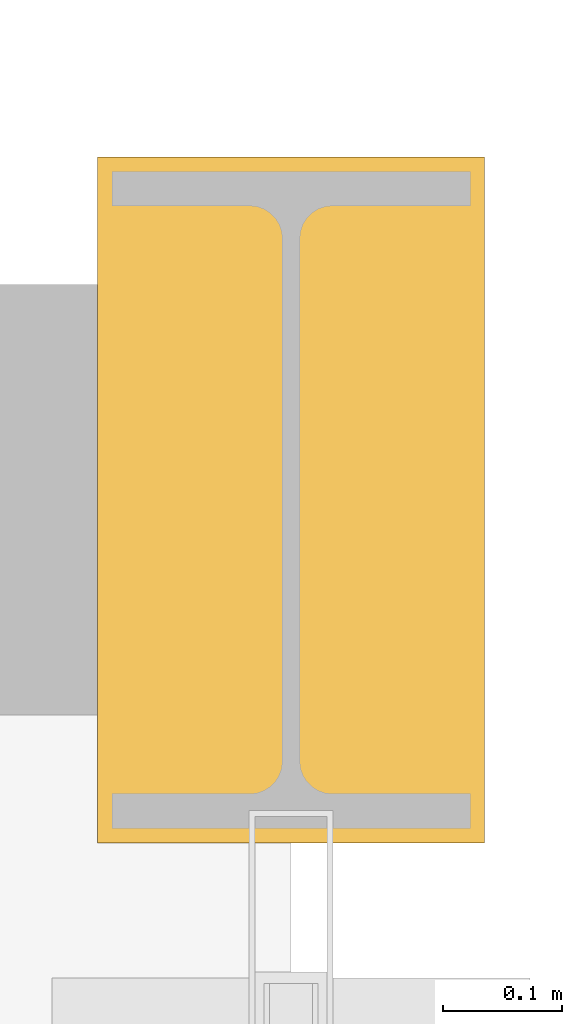
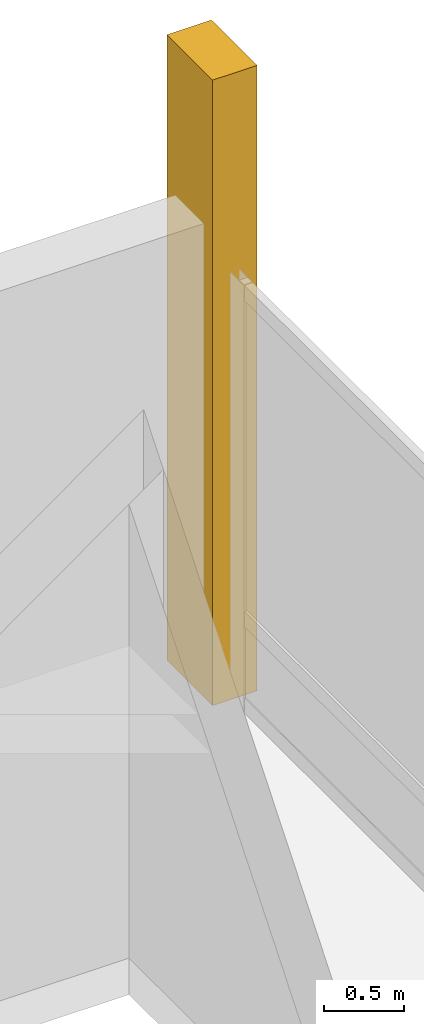
# One storey, part 219 of 220: 1 covering.
"""IFC4 building model written with IfcOpenShell, lengths in metres."""

from ifc_helpers import new_model, si_unit, direction, frame, origin, place, context, subcontext, project, spatial, polyline, outline, extrude, material, layer, layer_set, type_object, element, save


model = new_model("IFC4")

# Units and contexts
model_context = context("Model", 3, precision=1e-05, world=origin(), true_north=direction((0.0, 1.0)))
body_context = subcontext(model_context, "Body", "Model", "MODEL_VIEW")
ifc_project = project(units=[si_unit("LENGTHUNIT", "METRE"), si_unit("AREAUNIT", "SQUARE_METRE"), si_unit("VOLUMEUNIT", "CUBIC_METRE"), si_unit("PLANEANGLEUNIT", "RADIAN"), si_unit("MASSUNIT", "GRAM", prefix="KILO")], contexts=[model_context])

# Site, building, storey
site_placement = place(None, origin())
site = spatial("IfcSite", under=ifc_project, at=site_placement, CompositionType="ELEMENT")
building_placement = place(site_placement, origin())
building = spatial("IfcBuilding", under=site, at=building_placement, Name="Cendralis Lancet Convention Centre", CompositionType="ELEMENT")
storey_placement = place(building_placement, frame((0.0, 0.0, 5.39990234375)))
storey = spatial("IfcBuildingStorey", under=building, at=storey_placement, Name="L01", CompositionType="ELEMENT", Elevation=5.39990234375)

# Covering
ifc_material = material(Name="Warm buff sandstone chevron cassette", Category="masonry")
ifc_layer = layer(ifc_material, 0.06005859375, Name="Warm buff sandstone chevron cassette")
ifc_layer_set = layer_set([ifc_layer], Name="Warm buff sandstone chevron cassette")
covering_type = type_object("IfcCoveringType", Name="ARC-CV-CLAD1", PredefinedType="CLADDING", material=ifc_layer_set)
covering_placement = place(storey_placement, origin())
element("IfcCovering", 1, at=covering_placement, inside=storey, type_object=covering_type, Name="Exterior Column Stone Fire-Casing L01 #086", PredefinedType="CLADDING", context=body_context, shape_type="SweptSolid", body=[
    extrude(outline(polyline([(208.637939453125, 136.512939453125), (208.9619140625, 136.512939453125), (208.9619140625, 137.0869140625), (208.637939453125, 137.0869140625), (208.637939453125, 136.512939453125)])), origin(), (0.0, 0.0, 1.0), 4.800048828125),
])

save(model, "model.ifc")
